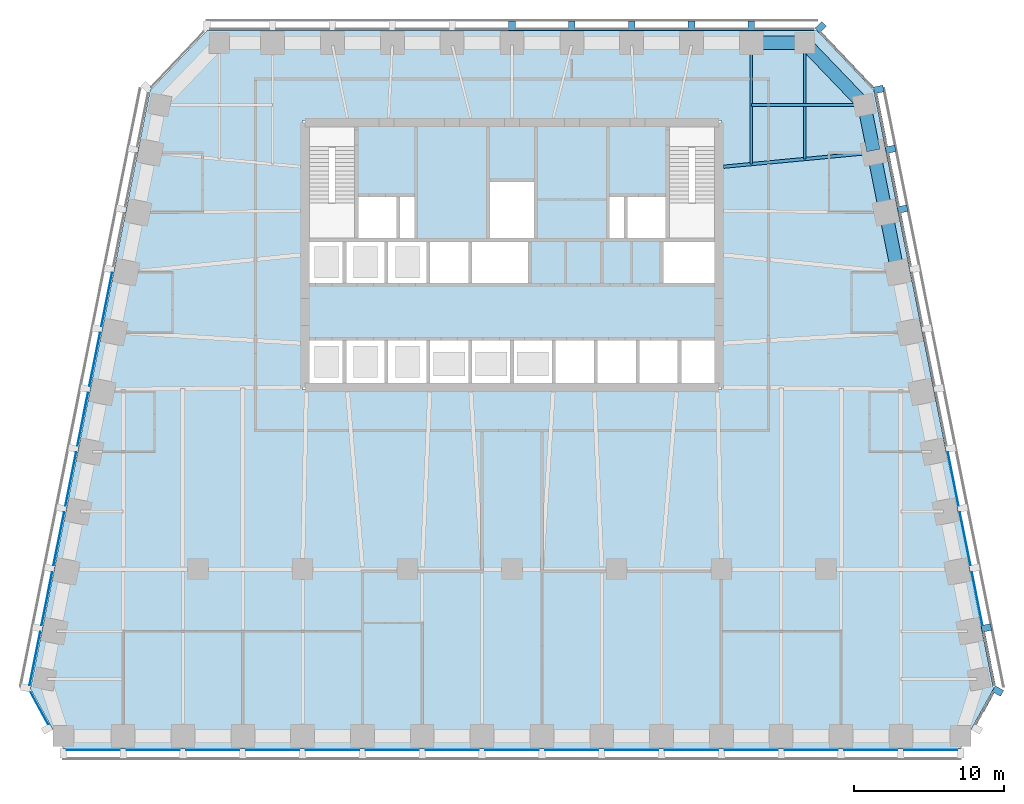
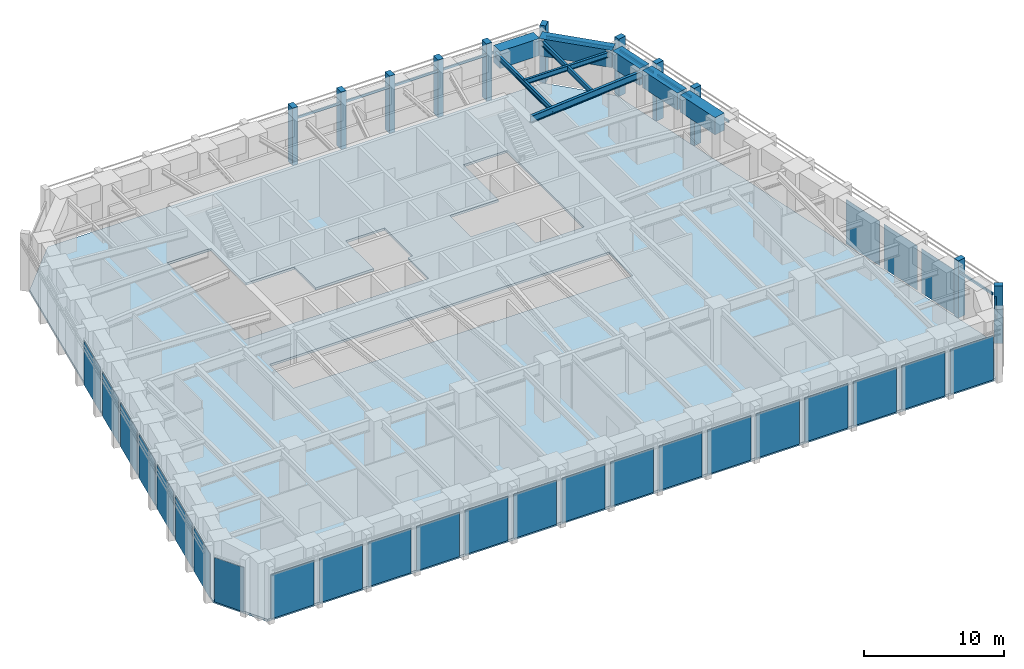
# One storey, part 4 of 11: 26 plates, 22 members, 9 beams, 1 slab, 7 elements without a shape of their own.
"""IFC4 building model written with IfcOpenShell, lengths in metres."""

from ifc_helpers import new_model, si_unit, direction, frame, origin, origin_2d, place, context, subcontext, project, spatial, polyline, rectangle, i_section, outline, extrude, material, layer, layer_set, material_profile, profile_set, type_object, element, aggregate, save


model = new_model("IFC4")

# Units and contexts
model_context = context("Model", 3, precision=1e-05, world=origin(), true_north=direction((0.0, 1.0)))
body_context = subcontext(model_context, "Body", "Model", "MODEL_VIEW")
ifc_project = project(units=[si_unit("LENGTHUNIT", "METRE"), si_unit("AREAUNIT", "SQUARE_METRE"), si_unit("VOLUMEUNIT", "CUBIC_METRE"), si_unit("PLANEANGLEUNIT", "RADIAN"), si_unit("MASSUNIT", "GRAM", prefix="KILO")], contexts=[model_context])

# Site, building, storey
site_placement = place(None, origin())
site = spatial("IfcSite", under=ifc_project, at=site_placement, CompositionType="ELEMENT")
building_placement = place(site_placement, origin())
building = spatial("IfcBuilding", under=site, at=building_placement, Name="Isbrekke Arena Tower", CompositionType="ELEMENT")
storey_placement = place(building_placement, frame((0.0, 0.0, 173.0)))
storey = spatial("IfcBuildingStorey", under=building, at=storey_placement, Name="L39", CompositionType="ELEMENT", Elevation=173.0)

# Beams
ifc_material_1 = material(Name="Steel S355", Category="steel")
ifc_material_profile_1 = material_profile(ifc_material_1, i_section(OverallWidth=0.219970703125, OverallDepth=0.60009765625, WebThickness=0.011962890625, FlangeThickness=0.01904296875, FilletRadius=0.02392578125, at=origin_2d()), Name="IPE 600")
ifc_profile_set_1 = profile_set([ifc_material_profile_1], Name="Steel S355")
beam_type_1 = type_object("IfcBeamType", Name="B1 IPE 600", PredefinedType="BEAM", material=ifc_profile_set_1)
beam_1_placement = place(storey_placement, frame((24.03076171875, 21.837158203125, 4.550048828125), z_axis=(-0.99553133081, -0.094431823952, 0.0), x_axis=(0.094431823952, -0.99553133081, 0.0)))
element("IfcBeam", 1, at=beam_1_placement, inside=storey, type_object=beam_type_1, Name="B1 beam E-E10 L39", PredefinedType="BEAM", context=body_context, shape_type="SweptSolid", body=[
    extrude(i_section(OverallWidth=0.219970703125, OverallDepth=0.60009765625, WebThickness=0.011962890625, FlangeThickness=0.01904296875, FilletRadius=0.02392578125, at=origin_2d()), origin(), (0.0, 0.0, 1.0), 9.92529296875),
])
ifc_material_2 = material(Name="Steel S355", Category="steel")
ifc_material_profile_2 = material_profile(ifc_material_2, i_section(OverallWidth=0.18994140625, OverallDepth=0.449951171875, WebThickness=0.009521484375, FlangeThickness=0.0146484375, FilletRadius=0.02099609375, at=origin_2d()), Name="IPE 450")
ifc_profile_set_2 = profile_set([ifc_material_profile_2], Name="Steel S355")
beam_type_2 = type_object("IfcBeamType", Name="B2 IPE 450", PredefinedType="BEAM", material=ifc_profile_set_2)
beam_2_placement = place(storey_placement, frame((23.40283203125, 25.029296875, 4.625), z_axis=(-1.0, 0.0, 0.0), x_axis=(0.0, -1.0, 0.0)))
element("IfcBeam", 2, at=beam_2_placement, inside=storey, type_object=beam_type_2, Name="B2 beam E-E11 L39", PredefinedType="BEAM", context=body_context, shape_type="SweptSolid", body=[
    extrude(i_section(OverallWidth=0.18994140625, OverallDepth=0.449951171875, WebThickness=0.009521484375, FlangeThickness=0.0146484375, FilletRadius=0.02099609375, at=origin_2d()), origin(), (0.0, 0.0, 1.0), 7.40283203125),
])
ifc_material_3 = material(Name="Steel S355", Category="steel")
ifc_material_profile_3 = material_profile(ifc_material_3, i_section(OverallWidth=0.18994140625, OverallDepth=0.449951171875, WebThickness=0.009521484375, FlangeThickness=0.0146484375, FilletRadius=0.02099609375, at=origin_2d()), Name="IPE 450")
ifc_profile_set_3 = profile_set([ifc_material_profile_3], Name="Steel S355")
beam_type_3 = type_object("IfcBeamType", Name="B3 IPE 450", PredefinedType="BEAM", material=ifc_profile_set_3)
beam_3_placement = place(storey_placement, frame((19.574951171875, 29.02490234375, 4.625), z_axis=(0.0, -1.0, 0.0), x_axis=(1.0, 0.0, 0.0)))
element("IfcBeam", 3, at=beam_3_placement, inside=storey, type_object=beam_type_3, Name="B3 beam N-N01 L39", PredefinedType="BEAM", context=body_context, shape_type="SweptSolid", body=[
    extrude(i_section(OverallWidth=0.18994140625, OverallDepth=0.449951171875, WebThickness=0.009521484375, FlangeThickness=0.0146484375, FilletRadius=0.02099609375, at=origin_2d()), origin(), (0.0, 0.0, 1.0), 7.6103515625),
])
beam_4_placement = place(storey_placement, frame((16.0, 29.02490234375, 4.625), z_axis=(0.0, -1.0, 0.0), x_axis=(1.0, 0.0, 0.0)))
element("IfcBeam", 4, at=beam_4_placement, inside=storey, type_object=beam_type_3, Name="B3 beam N-N02 L39", PredefinedType="BEAM", context=body_context, shape_type="SweptSolid", body=[
    extrude(i_section(OverallWidth=0.18994140625, OverallDepth=0.449951171875, WebThickness=0.009521484375, FlangeThickness=0.0146484375, FilletRadius=0.02099609375, at=origin_2d()), origin(), (0.0, 0.0, 1.0), 7.949462890625),
])

# Curtain wall, member
ifc_material_4 = material(Name="Glazed aluminium curtain wall", Category="aluminium")
curtain_wall_type = type_object("IfcCurtainWallType", Name="CWS SKY LOBBY CURTAIN WALL", PredefinedType="USERDEFINED", material=ifc_material_4)
curtain_wall_1_placement = place(storey_placement, origin())
curtain_wall_1 = element("IfcCurtainWall", 5, at=curtain_wall_1_placement, inside=storey, type_object=curtain_wall_type, Name="CWS curtain wall L39-SE", ObjectType="SKY LOBBY CURTAIN WALL", PredefinedType="USERDEFINED")
ifc_material_5 = material(Name="Aluminium mullion, pale brick slip cladding", Category="masonry")
ifc_material_profile_4 = material_profile(ifc_material_5, rectangle(XDim=0.449951171875, YDim=0.64990234375, at=origin_2d()), Name="PIER 450X650")
ifc_profile_set_4 = profile_set([ifc_material_profile_4], Name="Aluminium mullion, pale brick slip cladding")
member_type_1 = type_object("IfcMemberType", Name="CWS-M PIER MULLION 450 x 650", PredefinedType="MULLION", material=ifc_profile_set_4)
member_1_placement = place(storey_placement, frame((32.48486328125, -14.15673828125, 0.0), z_axis=(0.0, 0.0, 1.0), x_axis=(0.481918749773, 0.876215908676, 0.0)))
member_1 = element("IfcMember", 6, at=member_1_placement, type_object=member_type_1, Name="CWS-M mullion 2", PredefinedType="MULLION", context=body_context, shape_type="SweptSolid", body=[
    extrude(rectangle(XDim=0.449951171875, YDim=0.64990234375, at=origin_2d()), origin(), (0.0, 0.0, 1.0), 5.0),
])

# Curtain wall, members
curtain_wall_2_placement = place(storey_placement, origin())
curtain_wall_2 = element("IfcCurtainWall", 7, at=curtain_wall_2_placement, inside=storey, type_object=curtain_wall_type, Name="CWS curtain wall L39-E", ObjectType="SKY LOBBY CURTAIN WALL", PredefinedType="USERDEFINED")
member_2_placement = place(storey_placement, frame((31.71875, -9.936279296875, 0.0), z_axis=(0.0, 0.0, 1.0), x_axis=(-0.196116135138, 0.980580675691, 0.0)))
member_2 = element("IfcMember", 8, at=member_2_placement, type_object=member_type_1, Name="CWS-M mullion 1", PredefinedType="MULLION", context=body_context, shape_type="SweptSolid", body=[
    extrude(rectangle(XDim=0.449951171875, YDim=0.64990234375, at=origin_2d()), origin(), (0.0, 0.0, 1.0), 5.0),
])
member_3_placement = place(storey_placement, frame((26.11865234375, 18.063720703125, 0.0), z_axis=(0.0, 0.0, 1.0), x_axis=(-0.196116135138, 0.980580675691, 0.0)))
member_3 = element("IfcMember", 9, at=member_3_placement, type_object=member_type_1, Name="CWS-M mullion 8", PredefinedType="MULLION", context=body_context, shape_type="SweptSolid", body=[
    extrude(rectangle(XDim=0.449951171875, YDim=0.64990234375, at=origin_2d()), origin(), (0.0, 0.0, 1.0), 5.0),
])
member_4_placement = place(storey_placement, frame((25.318603515625, 22.063720703125, 0.0), z_axis=(0.0, 0.0, 1.0), x_axis=(-0.196116135138, 0.980580675691, 0.0)))
member_4 = element("IfcMember", 10, at=member_4_placement, type_object=member_type_1, Name="CWS-M mullion 9", PredefinedType="MULLION", context=body_context, shape_type="SweptSolid", body=[
    extrude(rectangle(XDim=0.449951171875, YDim=0.64990234375, at=origin_2d()), origin(), (0.0, 0.0, 1.0), 5.0),
])
member_5_placement = place(storey_placement, frame((24.518798828125, 26.063720703125, 0.0), z_axis=(0.0, 0.0, 1.0), x_axis=(-0.196116135138, 0.980580675691, 0.0)))
member_5 = element("IfcMember", 11, at=member_5_placement, type_object=member_type_1, Name="CWS-M mullion 10", PredefinedType="MULLION", context=body_context, shape_type="SweptSolid", body=[
    extrude(rectangle(XDim=0.449951171875, YDim=0.64990234375, at=origin_2d()), origin(), (0.0, 0.0, 1.0), 5.0),
])

# Curtain wall, member
curtain_wall_3_placement = place(storey_placement, origin())
curtain_wall_3 = element("IfcCurtainWall", 12, at=curtain_wall_3_placement, inside=storey, type_object=curtain_wall_type, Name="CWS curtain wall L39-EN", ObjectType="SKY LOBBY CURTAIN WALL", PredefinedType="USERDEFINED")
member_6_placement = place(storey_placement, frame((20.6357421875, 30.223876953125, 0.0), z_axis=(0.0, 0.0, 1.0), x_axis=(-0.68874946192, 0.72499943359, 0.0)))
member_6 = element("IfcMember", 13, at=member_6_placement, type_object=member_type_1, Name="CWS-M mullion 1", PredefinedType="MULLION", context=body_context, shape_type="SweptSolid", body=[
    extrude(rectangle(XDim=0.449951171875, YDim=0.64990234375, at=origin_2d()), origin(), (0.0, 0.0, 1.0), 5.0),
])

# Curtain wall, members
curtain_wall_4_placement = place(storey_placement, origin())
curtain_wall_4 = element("IfcCurtainWall", 14, at=curtain_wall_4_placement, inside=storey, type_object=curtain_wall_type, Name="CWS curtain wall L39-N", ObjectType="SKY LOBBY CURTAIN WALL", PredefinedType="USERDEFINED")
member_7_placement = place(storey_placement, frame((16.0, 30.324951171875, 0.0), z_axis=(0.0, 0.0, 1.0), x_axis=(-1.0, 0.0, 0.0)))
member_7 = element("IfcMember", 15, at=member_7_placement, type_object=member_type_1, Name="CWS-M mullion 1", PredefinedType="MULLION", context=body_context, shape_type="SweptSolid", body=[
    extrude(rectangle(XDim=0.449951171875, YDim=0.64990234375, at=origin_2d()), origin(), (0.0, 0.0, 1.0), 5.0),
])
member_8_placement = place(storey_placement, frame((12.0, 30.324951171875, 0.0), z_axis=(0.0, 0.0, 1.0), x_axis=(-1.0, 0.0, 0.0)))
member_8 = element("IfcMember", 16, at=member_8_placement, type_object=member_type_1, Name="CWS-M mullion 2", PredefinedType="MULLION", context=body_context, shape_type="SweptSolid", body=[
    extrude(rectangle(XDim=0.449951171875, YDim=0.64990234375, at=origin_2d()), origin(), (0.0, 0.0, 1.0), 5.0),
])
member_9_placement = place(storey_placement, frame((8.0, 30.324951171875, 0.0), z_axis=(0.0, 0.0, 1.0), x_axis=(-1.0, 0.0, 0.0)))
member_9 = element("IfcMember", 17, at=member_9_placement, type_object=member_type_1, Name="CWS-M mullion 3", PredefinedType="MULLION", context=body_context, shape_type="SweptSolid", body=[
    extrude(rectangle(XDim=0.449951171875, YDim=0.64990234375, at=origin_2d()), origin(), (0.0, 0.0, 1.0), 5.0),
])
member_10_placement = place(storey_placement, frame((4.0, 30.324951171875, 0.0), z_axis=(0.0, 0.0, 1.0), x_axis=(-1.0, 0.0, 0.0)))
member_10 = element("IfcMember", 18, at=member_10_placement, type_object=member_type_1, Name="CWS-M mullion 4", PredefinedType="MULLION", context=body_context, shape_type="SweptSolid", body=[
    extrude(rectangle(XDim=0.449951171875, YDim=0.64990234375, at=origin_2d()), origin(), (0.0, 0.0, 1.0), 5.0),
])
member_11_placement = place(storey_placement, frame((0.0, 30.324951171875, 0.0), z_axis=(0.0, 0.0, 1.0), x_axis=(-1.0, 0.0, 0.0)))
member_11 = element("IfcMember", 19, at=member_11_placement, type_object=member_type_1, Name="CWS-M mullion 5", PredefinedType="MULLION", context=body_context, shape_type="SweptSolid", body=[
    extrude(rectangle(XDim=0.449951171875, YDim=0.64990234375, at=origin_2d()), origin(), (0.0, 0.0, 1.0), 5.0),
])

# Member
ifc_material_6 = material(Name="Aluminium transom", Category="aluminium")
ifc_material_profile_5 = material_profile(ifc_material_6, rectangle(XDim=0.1201171875, YDim=0.199951171875, at=origin_2d()), Name="TRANSOM 120X200")
ifc_profile_set_5 = profile_set([ifc_material_profile_5], Name="Aluminium transom")
member_type_2 = type_object("IfcMemberType", Name="CWS-T TRANSOM 120 x 200", PredefinedType="USERDEFINED", material=ifc_profile_set_5)
member_12_placement = place(storey_placement, frame((31.002197265625, -16.38525390625, 4.0), z_axis=(0.481937937062, 0.876205355393, 0.0), x_axis=(-0.876205355393, 0.481937937062, 0.0)))
member_12 = element("IfcMember", 20, at=member_12_placement, type_object=member_type_2, Name="CWS-T transom 1", ObjectType="TRANSOM", PredefinedType="USERDEFINED", context=body_context, shape_type="SweptSolid", body=[
    extrude(rectangle(XDim=0.1201171875, YDim=0.199951171875, at=origin_2d()), origin(), (0.0, 0.0, 1.0), 2.442138671875),
])

aggregate(curtain_wall_1, [member_1, member_12])

member_13_placement = place(storey_placement, frame((32.25390625, -13.759765625, 4.0), z_axis=(-0.196090262229, 0.980585849918, 0.0), x_axis=(-0.980585849918, -0.196090262229, 0.0)))
member_13 = element("IfcMember", 21, at=member_13_placement, type_object=member_type_2, Name="CWS-T transom 1", ObjectType="TRANSOM", PredefinedType="USERDEFINED", context=body_context, shape_type="SweptSolid", body=[
    extrude(rectangle(XDim=0.1201171875, YDim=0.199951171875, at=origin_2d()), origin(), (0.0, 0.0, 1.0), 3.62939453125),
])

member_14_placement = place(storey_placement, frame((26.654052734375, 14.240234375, 4.0), z_axis=(-0.196154943734, 0.980572913173, 0.0), x_axis=(-0.980572913173, -0.196154943734, 0.0)))
member_14 = element("IfcMember", 22, at=member_14_placement, type_object=member_type_2, Name="CWS-T transom 8", ObjectType="TRANSOM", PredefinedType="USERDEFINED", context=body_context, shape_type="SweptSolid", body=[
    extrude(rectangle(XDim=0.1201171875, YDim=0.199951171875, at=origin_2d()), origin(), (0.0, 0.0, 1.0), 3.62939453125),
])

member_15_placement = place(storey_placement, frame((25.85400390625, 18.240234375, 4.0), z_axis=(-0.196154943734, 0.980572913173, 0.0), x_axis=(-0.980572913173, -0.196154943734, 0.0)))
member_15 = element("IfcMember", 23, at=member_15_placement, type_object=member_type_2, Name="CWS-T transom 9", ObjectType="TRANSOM", PredefinedType="USERDEFINED", context=body_context, shape_type="SweptSolid", body=[
    extrude(rectangle(XDim=0.1201171875, YDim=0.199951171875, at=origin_2d()), origin(), (0.0, 0.0, 1.0), 3.62939453125),
])

member_16_placement = place(storey_placement, frame((25.053955078125, 22.240234375, 4.0), z_axis=(-0.196090262229, 0.980585849918, 0.0), x_axis=(-0.980585849918, -0.196090262229, 0.0)))
member_16 = element("IfcMember", 24, at=member_16_placement, type_object=member_type_2, Name="CWS-T transom 10", ObjectType="TRANSOM", PredefinedType="USERDEFINED", context=body_context, shape_type="SweptSolid", body=[
    extrude(rectangle(XDim=0.1201171875, YDim=0.199951171875, at=origin_2d()), origin(), (0.0, 0.0, 1.0), 3.62939453125),
])

member_17_placement = place(storey_placement, frame((24.117431640625, 26.23193359375, 4.0), z_axis=(-0.688734266994, 0.725013868466, 0.0), x_axis=(-0.725013868466, -0.688734266994, 0.0)))
member_17 = element("IfcMember", 25, at=member_17_placement, type_object=member_type_2, Name="CWS-T transom 1", ObjectType="TRANSOM", PredefinedType="USERDEFINED", context=body_context, shape_type="SweptSolid", body=[
    extrude(rectangle(XDim=0.1201171875, YDim=0.199951171875, at=origin_2d()), origin(), (0.0, 0.0, 1.0), 5.067138671875),
])

aggregate(curtain_wall_3, [member_6, member_17])

member_18_placement = place(storey_placement, frame((20.175048828125, 30.10009765625, 4.0), z_axis=(-1.0, 0.0, 0.0), x_axis=(0.0, -1.0, 0.0)))
member_18 = element("IfcMember", 26, at=member_18_placement, type_object=member_type_2, Name="CWS-T transom 1", ObjectType="TRANSOM", PredefinedType="USERDEFINED", context=body_context, shape_type="SweptSolid", body=[
    extrude(rectangle(XDim=0.1201171875, YDim=0.199951171875, at=origin_2d()), origin(), (0.0, 0.0, 1.0), 3.949951171875),
])

member_19_placement = place(storey_placement, frame((15.77490234375, 30.10009765625, 4.0), z_axis=(-1.0, 0.0, 0.0), x_axis=(0.0, -1.0, 0.0)))
member_19 = element("IfcMember", 27, at=member_19_placement, type_object=member_type_2, Name="CWS-T transom 2", ObjectType="TRANSOM", PredefinedType="USERDEFINED", context=body_context, shape_type="SweptSolid", body=[
    extrude(rectangle(XDim=0.1201171875, YDim=0.199951171875, at=origin_2d()), origin(), (0.0, 0.0, 1.0), 3.5498046875),
])

member_20_placement = place(storey_placement, frame((11.77490234375, 30.10009765625, 4.0), z_axis=(-1.0, 0.0, 0.0), x_axis=(0.0, -1.0, 0.0)))
member_20 = element("IfcMember", 28, at=member_20_placement, type_object=member_type_2, Name="CWS-T transom 3", ObjectType="TRANSOM", PredefinedType="USERDEFINED", context=body_context, shape_type="SweptSolid", body=[
    extrude(rectangle(XDim=0.1201171875, YDim=0.199951171875, at=origin_2d()), origin(), (0.0, 0.0, 1.0), 3.5498046875),
])

member_21_placement = place(storey_placement, frame((7.77490234375, 30.10009765625, 4.0), z_axis=(-1.0, 0.0, 0.0), x_axis=(0.0, -1.0, 0.0)))
member_21 = element("IfcMember", 29, at=member_21_placement, type_object=member_type_2, Name="CWS-T transom 4", ObjectType="TRANSOM", PredefinedType="USERDEFINED", context=body_context, shape_type="SweptSolid", body=[
    extrude(rectangle(XDim=0.1201171875, YDim=0.199951171875, at=origin_2d()), origin(), (0.0, 0.0, 1.0), 3.5498046875),
])

member_22_placement = place(storey_placement, frame((3.77490234375, 30.10009765625, 4.0), z_axis=(-1.0, 0.0, 0.0), x_axis=(0.0, -1.0, 0.0)))
member_22 = element("IfcMember", 30, at=member_22_placement, type_object=member_type_2, Name="CWS-T transom 5", ObjectType="TRANSOM", PredefinedType="USERDEFINED", context=body_context, shape_type="SweptSolid", body=[
    extrude(rectangle(XDim=0.1201171875, YDim=0.199951171875, at=origin_2d()), origin(), (0.0, 0.0, 1.0), 3.5498046875),
])

aggregate(curtain_wall_4, [member_7, member_8, member_9, member_10, member_11, member_18, member_19, member_20, member_21, member_22])

# Beams
ifc_material_7 = material(Name="Concrete B65 (C65/80)", Category="concrete")
ifc_material_profile_6 = material_profile(ifc_material_7, rectangle(XDim=0.89990234375, YDim=1.5, at=origin_2d()), Name="RC 900x1500")
ifc_profile_set_6 = profile_set([ifc_material_profile_6], Name="Concrete B65 (C65/80)")
beam_type_4 = type_object("IfcBeamType", Name="SB3 RC 900 x 1500", PredefinedType="SPANDREL", material=ifc_profile_set_6)
for number, where, z_axis, x_axis, name in (
    (31, (25.76171875, 13.9853515625, 4.25), (-0.196128558387, 0.980578190959, 0.0), (-0.980578190959, -0.196128558387, 0.0), "SB3 spandrel E08-E09 L39"),
    (32, (24.961669921875, 17.9853515625, 4.25), (-0.196128558387, 0.980578190959, 0.0), (-0.980578190959, -0.196128558387, 0.0), "SB3 spandrel E09-E10 L39"),
):
    element("IfcBeam", number, at=place(storey_placement, frame(where, z_axis=z_axis, x_axis=x_axis)), inside=storey, type_object=beam_type_4, Name=name, PredefinedType="SPANDREL", context=body_context, shape_type="SweptSolid", body=[
        extrude(rectangle(XDim=0.89990234375, YDim=1.5, at=origin_2d()), origin(), (0.0, 0.0, 1.0), 3.779296875),
    ])
beam_5_placement = place(storey_placement, frame((24.16162109375, 21.9853515625, 4.25), z_axis=(-0.196116135138, 0.980580675691, 0.0), x_axis=(-0.980580675691, -0.196116135138, 0.0)))
element("IfcBeam", 33, at=beam_5_placement, inside=storey, type_object=beam_type_4, Name="SB3 spandrel E10-E11 L39", PredefinedType="SPANDREL", context=body_context, shape_type="SweptSolid", body=[
    extrude(rectangle(XDim=0.89990234375, YDim=1.5, at=origin_2d()), origin(), (0.0, 0.0, 1.0), 2.9541015625),
])
beam_6_placement = place(storey_placement, frame((23.448974609375, 25.137451171875, 4.25), z_axis=(-0.692339547635, 0.721571861134, 0.0), x_axis=(-0.721571861134, -0.692339547635, 0.0)))
element("IfcBeam", 34, at=beam_6_placement, inside=storey, type_object=beam_type_4, Name="SB3 spandrel E11-N01 L39", PredefinedType="SPANDREL", context=body_context, shape_type="SweptSolid", body=[
    extrude(rectangle(XDim=0.89990234375, YDim=1.5, at=origin_2d()), origin(), (0.0, 0.0, 1.0), 5.4453125),
])
beam_7_placement = place(storey_placement, frame((19.425048828125, 29.175048828125, 4.25), z_axis=(-1.0, 0.0, 0.0), x_axis=(0.0, -1.0, 0.0)))
element("IfcBeam", 35, at=beam_7_placement, inside=storey, type_object=beam_type_4, Name="SB3 spandrel N01-N02 L39", PredefinedType="SPANDREL", context=body_context, shape_type="SweptSolid", body=[
    extrude(rectangle(XDim=0.89990234375, YDim=1.5, at=origin_2d()), origin(), (0.0, 0.0, 1.0), 3.275146484375),
])

# Curtain wall, plates
curtain_wall_5_placement = place(storey_placement, origin())
curtain_wall_5 = element("IfcCurtainWall", 36, at=curtain_wall_5_placement, inside=storey, type_object=curtain_wall_type, Name="CWS curtain wall L39-S", ObjectType="SKY LOBBY CURTAIN WALL", PredefinedType="USERDEFINED")
ifc_material_8 = material(Name="Triple-glazed clear glass unit", Category="glass")
ifc_layer_1 = layer(ifc_material_8, 0.031982421875)
ifc_layer_set_1 = layer_set([ifc_layer_1], Name="CWS-P VISION PANEL")
plate_type = type_object("IfcPlateType", Name="CWS-P VISION PANEL", PredefinedType="CURTAIN_PANEL", material=ifc_layer_set_1)
plate_1_placement = place(storey_placement, frame((-28.0, -18.10009765625, 0.02001953125), z_axis=(0.0, 0.0, 1.0), x_axis=(1.0, 0.0, 0.0)))
plate_1 = element("IfcPlate", 37, at=plate_1_placement, type_object=plate_type, Name="CWS-P panel 1", PredefinedType="CURTAIN_PANEL", context=body_context, shape_type="SweptSolid", body=[
    extrude(rectangle(XDim=3.550048828125, YDim=0.031982421875, at=origin_2d()), origin(), (0.0, 0.0, 1.0), 3.8798828125),
])
plate_2_placement = place(storey_placement, frame((-24.0, -18.10009765625, 0.02001953125), z_axis=(0.0, 0.0, 1.0), x_axis=(1.0, 0.0, 0.0)))
plate_2 = element("IfcPlate", 38, at=plate_2_placement, type_object=plate_type, Name="CWS-P panel 2", PredefinedType="CURTAIN_PANEL", context=body_context, shape_type="SweptSolid", body=[
    extrude(rectangle(XDim=3.550048828125, YDim=0.031982421875, at=origin_2d()), origin(), (0.0, 0.0, 1.0), 3.8798828125),
])
plate_3_placement = place(storey_placement, frame((-20.0, -18.10009765625, 0.02001953125), z_axis=(0.0, 0.0, 1.0), x_axis=(1.0, 0.0, 0.0)))
plate_3 = element("IfcPlate", 39, at=plate_3_placement, type_object=plate_type, Name="CWS-P panel 3", PredefinedType="CURTAIN_PANEL", context=body_context, shape_type="SweptSolid", body=[
    extrude(rectangle(XDim=3.550048828125, YDim=0.031982421875, at=origin_2d()), origin(), (0.0, 0.0, 1.0), 3.8798828125),
])
plate_4_placement = place(storey_placement, frame((-16.0, -18.10009765625, 0.02001953125), z_axis=(0.0, 0.0, 1.0), x_axis=(1.0, 0.0, 0.0)))
plate_4 = element("IfcPlate", 40, at=plate_4_placement, type_object=plate_type, Name="CWS-P panel 4", PredefinedType="CURTAIN_PANEL", context=body_context, shape_type="SweptSolid", body=[
    extrude(rectangle(XDim=3.550048828125, YDim=0.031982421875, at=origin_2d()), origin(), (0.0, 0.0, 1.0), 3.8798828125),
])
plate_5_placement = place(storey_placement, frame((-12.0, -18.10009765625, 0.02001953125), z_axis=(0.0, 0.0, 1.0), x_axis=(1.0, 0.0, 0.0)))
plate_5 = element("IfcPlate", 41, at=plate_5_placement, type_object=plate_type, Name="CWS-P panel 5", PredefinedType="CURTAIN_PANEL", context=body_context, shape_type="SweptSolid", body=[
    extrude(rectangle(XDim=3.550048828125, YDim=0.031982421875, at=origin_2d()), origin(), (0.0, 0.0, 1.0), 3.8798828125),
])
plate_6_placement = place(storey_placement, frame((-8.0, -18.10009765625, 0.02001953125), z_axis=(0.0, 0.0, 1.0), x_axis=(1.0, 0.0, 0.0)))
plate_6 = element("IfcPlate", 42, at=plate_6_placement, type_object=plate_type, Name="CWS-P panel 6", PredefinedType="CURTAIN_PANEL", context=body_context, shape_type="SweptSolid", body=[
    extrude(rectangle(XDim=3.550048828125, YDim=0.031982421875, at=origin_2d()), origin(), (0.0, 0.0, 1.0), 3.8798828125),
])
plate_7_placement = place(storey_placement, frame((-4.0, -18.10009765625, 0.02001953125), z_axis=(0.0, 0.0, 1.0), x_axis=(1.0, 0.0, 0.0)))
plate_7 = element("IfcPlate", 43, at=plate_7_placement, type_object=plate_type, Name="CWS-P panel 7", PredefinedType="CURTAIN_PANEL", context=body_context, shape_type="SweptSolid", body=[
    extrude(rectangle(XDim=3.550048828125, YDim=0.031982421875, at=origin_2d()), origin(), (0.0, 0.0, 1.0), 3.8798828125),
])
plate_8_placement = place(storey_placement, frame((0.0, -18.10009765625, 0.02001953125), z_axis=(0.0, 0.0, 1.0), x_axis=(1.0, 0.0, 0.0)))
plate_8 = element("IfcPlate", 44, at=plate_8_placement, type_object=plate_type, Name="CWS-P panel 8", PredefinedType="CURTAIN_PANEL", context=body_context, shape_type="SweptSolid", body=[
    extrude(rectangle(XDim=3.550048828125, YDim=0.031982421875, at=origin_2d()), origin(), (0.0, 0.0, 1.0), 3.8798828125),
])
plate_9_placement = place(storey_placement, frame((4.0, -18.10009765625, 0.02001953125), z_axis=(0.0, 0.0, 1.0), x_axis=(1.0, 0.0, 0.0)))
plate_9 = element("IfcPlate", 45, at=plate_9_placement, type_object=plate_type, Name="CWS-P panel 9", PredefinedType="CURTAIN_PANEL", context=body_context, shape_type="SweptSolid", body=[
    extrude(rectangle(XDim=3.550048828125, YDim=0.031982421875, at=origin_2d()), origin(), (0.0, 0.0, 1.0), 3.8798828125),
])
plate_10_placement = place(storey_placement, frame((8.0, -18.10009765625, 0.02001953125), z_axis=(0.0, 0.0, 1.0), x_axis=(1.0, 0.0, 0.0)))
plate_10 = element("IfcPlate", 46, at=plate_10_placement, type_object=plate_type, Name="CWS-P panel 10", PredefinedType="CURTAIN_PANEL", context=body_context, shape_type="SweptSolid", body=[
    extrude(rectangle(XDim=3.550048828125, YDim=0.031982421875, at=origin_2d()), origin(), (0.0, 0.0, 1.0), 3.8798828125),
])
plate_11_placement = place(storey_placement, frame((12.0, -18.10009765625, 0.02001953125), z_axis=(0.0, 0.0, 1.0), x_axis=(1.0, 0.0, 0.0)))
plate_11 = element("IfcPlate", 47, at=plate_11_placement, type_object=plate_type, Name="CWS-P panel 11", PredefinedType="CURTAIN_PANEL", context=body_context, shape_type="SweptSolid", body=[
    extrude(rectangle(XDim=3.550048828125, YDim=0.031982421875, at=origin_2d()), origin(), (0.0, 0.0, 1.0), 3.8798828125),
])
plate_12_placement = place(storey_placement, frame((16.0, -18.10009765625, 0.02001953125), z_axis=(0.0, 0.0, 1.0), x_axis=(1.0, 0.0, 0.0)))
plate_12 = element("IfcPlate", 48, at=plate_12_placement, type_object=plate_type, Name="CWS-P panel 12", PredefinedType="CURTAIN_PANEL", context=body_context, shape_type="SweptSolid", body=[
    extrude(rectangle(XDim=3.550048828125, YDim=0.031982421875, at=origin_2d()), origin(), (0.0, 0.0, 1.0), 3.8798828125),
])
plate_13_placement = place(storey_placement, frame((20.0, -18.10009765625, 0.02001953125), z_axis=(0.0, 0.0, 1.0), x_axis=(1.0, 0.0, 0.0)))
plate_13 = element("IfcPlate", 49, at=plate_13_placement, type_object=plate_type, Name="CWS-P panel 13", PredefinedType="CURTAIN_PANEL", context=body_context, shape_type="SweptSolid", body=[
    extrude(rectangle(XDim=3.550048828125, YDim=0.031982421875, at=origin_2d()), origin(), (0.0, 0.0, 1.0), 3.8798828125),
])
plate_14_placement = place(storey_placement, frame((24.0, -18.10009765625, 0.02001953125), z_axis=(0.0, 0.0, 1.0), x_axis=(1.0, 0.0, 0.0)))
plate_14 = element("IfcPlate", 50, at=plate_14_placement, type_object=plate_type, Name="CWS-P panel 14", PredefinedType="CURTAIN_PANEL", context=body_context, shape_type="SweptSolid", body=[
    extrude(rectangle(XDim=3.550048828125, YDim=0.031982421875, at=origin_2d()), origin(), (0.0, 0.0, 1.0), 3.8798828125),
])
plate_15_placement = place(storey_placement, frame((28.0, -18.10009765625, 0.02001953125), z_axis=(0.0, 0.0, 1.0), x_axis=(1.0, 0.0, 0.0)))
plate_15 = element("IfcPlate", 51, at=plate_15_placement, type_object=plate_type, Name="CWS-P panel 15", PredefinedType="CURTAIN_PANEL", context=body_context, shape_type="SweptSolid", body=[
    extrude(rectangle(XDim=3.550048828125, YDim=0.031982421875, at=origin_2d()), origin(), (0.0, 0.0, 1.0), 3.8798828125),
])
aggregate(curtain_wall_5, [plate_1, plate_2, plate_3, plate_4, plate_5, plate_6, plate_7, plate_8, plate_9, plate_10, plate_11, plate_12, plate_13, plate_14, plate_15])

# Plate
plate_16_placement = place(storey_placement, frame((31.09814453125, -7.98046875, 0.02001953125), z_axis=(0.0, 0.0, 1.0), x_axis=(-0.196116135138, 0.980580675691, 0.0)))
plate_16 = element("IfcPlate", 52, at=plate_16_placement, type_object=plate_type, Name="CWS-P panel 2", PredefinedType="CURTAIN_PANEL", context=body_context, shape_type="SweptSolid", body=[
    extrude(rectangle(XDim=3.629150390625, YDim=0.031982421875, at=origin_2d()), origin(), (0.0, 0.0, 1.0), 3.8798828125),
])

plate_17_placement = place(storey_placement, frame((30.298095703125, -3.98046875, 0.02001953125), z_axis=(0.0, 0.0, 1.0), x_axis=(-0.196116135138, 0.980580675691, 0.0)))
plate_17 = element("IfcPlate", 53, at=plate_17_placement, type_object=plate_type, Name="CWS-P panel 3", PredefinedType="CURTAIN_PANEL", context=body_context, shape_type="SweptSolid", body=[
    extrude(rectangle(XDim=3.629150390625, YDim=0.031982421875, at=origin_2d()), origin(), (0.0, 0.0, 1.0), 3.8798828125),
])

plate_18_placement = place(storey_placement, frame((29.498046875, 0.01953125, 0.02001953125), z_axis=(0.0, 0.0, 1.0), x_axis=(-0.196116135138, 0.980580675691, 0.0)))
plate_18 = element("IfcPlate", 54, at=plate_18_placement, type_object=plate_type, Name="CWS-P panel 4", PredefinedType="CURTAIN_PANEL", context=body_context, shape_type="SweptSolid", body=[
    extrude(rectangle(XDim=3.629150390625, YDim=0.031982421875, at=origin_2d()), origin(), (0.0, 0.0, 1.0), 3.8798828125),
])

aggregate(curtain_wall_2, [member_2, member_3, member_4, member_5, member_13, plate_16, plate_17, plate_18, member_14, member_15, member_16])

# Curtain wall, plates
curtain_wall_6_placement = place(storey_placement, origin())
curtain_wall_6 = element("IfcCurtainWall", 55, at=curtain_wall_6_placement, inside=storey, type_object=curtain_wall_type, Name="CWS curtain wall L39-W", ObjectType="SKY LOBBY CURTAIN WALL", PredefinedType="USERDEFINED")
plate_19_placement = place(storey_placement, frame((-27.09814453125, 12.01953125, 0.02001953125), z_axis=(0.0, 0.0, 1.0), x_axis=(-0.196116135138, -0.980580675691, 0.0)))
plate_19 = element("IfcPlate", 56, at=plate_19_placement, type_object=plate_type, Name="CWS-P panel 4", PredefinedType="CURTAIN_PANEL", context=body_context, shape_type="SweptSolid", body=[
    extrude(rectangle(XDim=3.629150390625, YDim=0.031982421875, at=origin_2d()), origin(), (0.0, 0.0, 1.0), 3.8798828125),
])
plate_20_placement = place(storey_placement, frame((-27.89794921875, 8.01953125, 0.02001953125), z_axis=(0.0, 0.0, 1.0), x_axis=(-0.196116135138, -0.980580675691, 0.0)))
plate_20 = element("IfcPlate", 57, at=plate_20_placement, type_object=plate_type, Name="CWS-P panel 5", PredefinedType="CURTAIN_PANEL", context=body_context, shape_type="SweptSolid", body=[
    extrude(rectangle(XDim=3.629150390625, YDim=0.031982421875, at=origin_2d()), origin(), (0.0, 0.0, 1.0), 3.8798828125),
])
plate_21_placement = place(storey_placement, frame((-28.697998046875, 4.01953125, 0.02001953125), z_axis=(0.0, 0.0, 1.0), x_axis=(-0.196116135138, -0.980580675691, 0.0)))
plate_21 = element("IfcPlate", 58, at=plate_21_placement, type_object=plate_type, Name="CWS-P panel 6", PredefinedType="CURTAIN_PANEL", context=body_context, shape_type="SweptSolid", body=[
    extrude(rectangle(XDim=3.629150390625, YDim=0.031982421875, at=origin_2d()), origin(), (0.0, 0.0, 1.0), 3.8798828125),
])
plate_22_placement = place(storey_placement, frame((-29.498046875, 0.01953125, 0.02001953125), z_axis=(0.0, 0.0, 1.0), x_axis=(-0.196116135138, -0.980580675691, 0.0)))
plate_22 = element("IfcPlate", 59, at=plate_22_placement, type_object=plate_type, Name="CWS-P panel 7", PredefinedType="CURTAIN_PANEL", context=body_context, shape_type="SweptSolid", body=[
    extrude(rectangle(XDim=3.629150390625, YDim=0.031982421875, at=origin_2d()), origin(), (0.0, 0.0, 1.0), 3.8798828125),
])
plate_23_placement = place(storey_placement, frame((-30.298095703125, -3.98046875, 0.02001953125), z_axis=(0.0, 0.0, 1.0), x_axis=(-0.196116135138, -0.980580675691, 0.0)))
plate_23 = element("IfcPlate", 60, at=plate_23_placement, type_object=plate_type, Name="CWS-P panel 8", PredefinedType="CURTAIN_PANEL", context=body_context, shape_type="SweptSolid", body=[
    extrude(rectangle(XDim=3.629150390625, YDim=0.031982421875, at=origin_2d()), origin(), (0.0, 0.0, 1.0), 3.8798828125),
])
plate_24_placement = place(storey_placement, frame((-31.09814453125, -7.98046875, 0.02001953125), z_axis=(0.0, 0.0, 1.0), x_axis=(-0.196116135138, -0.980580675691, 0.0)))
plate_24 = element("IfcPlate", 61, at=plate_24_placement, type_object=plate_type, Name="CWS-P panel 9", PredefinedType="CURTAIN_PANEL", context=body_context, shape_type="SweptSolid", body=[
    extrude(rectangle(XDim=3.629150390625, YDim=0.031982421875, at=origin_2d()), origin(), (0.0, 0.0, 1.0), 3.8798828125),
])
plate_25_placement = place(storey_placement, frame((-31.89794921875, -11.98046875, 0.02001953125), z_axis=(0.0, 0.0, 1.0), x_axis=(-0.196116135138, -0.980580675691, 0.0)))
plate_25 = element("IfcPlate", 62, at=plate_25_placement, type_object=plate_type, Name="CWS-P panel 10", PredefinedType="CURTAIN_PANEL", context=body_context, shape_type="SweptSolid", body=[
    extrude(rectangle(XDim=3.629150390625, YDim=0.031982421875, at=origin_2d()), origin(), (0.0, 0.0, 1.0), 3.8798828125),
])
aggregate(curtain_wall_6, [plate_19, plate_20, plate_21, plate_22, plate_23, plate_24, plate_25])

# Curtain wall, plate
curtain_wall_7_placement = place(storey_placement, origin())
curtain_wall_7 = element("IfcCurtainWall", 63, at=curtain_wall_7_placement, inside=storey, type_object=curtain_wall_type, Name="CWS curtain wall L39-WS", ObjectType="SKY LOBBY CURTAIN WALL", PredefinedType="USERDEFINED")
plate_26_placement = place(storey_placement, frame((-31.59033203125, -15.31591796875, 0.02001953125), z_axis=(0.0, 0.0, 1.0), x_axis=(0.481918749773, -0.876215908676, 0.0)))
plate_26 = element("IfcPlate", 64, at=plate_26_placement, type_object=plate_type, Name="CWS-P panel 1", PredefinedType="CURTAIN_PANEL", context=body_context, shape_type="SweptSolid", body=[
    extrude(rectangle(XDim=2.443603515625, YDim=0.031982421875, at=origin_2d()), origin(), (0.0, 0.0, 1.0), 3.8798828125),
])
aggregate(curtain_wall_7, [plate_26])

# Slab
ifc_material_9 = material(Name="Concrete B35 (C35/45)", Category="concrete")
ifc_layer_2 = layer(ifc_material_9, 0.199951171875)
ifc_layer_set_2 = layer_set([ifc_layer_2], Name="FS3 SKY LOBBY FLOOR 200")
slab_type = type_object("IfcSlabType", Name="FS3 SKY LOBBY FLOOR 200", PredefinedType="FLOOR", material=ifc_layer_set_2)
slab_placement = place(storey_placement, frame((0.0, 0.0, -0.199951171875)))
element("IfcSlab", 65, at=slab_placement, inside=storey, type_object=slab_type, Name="FS3 floor slab L39", PredefinedType="FLOOR", context=body_context, shape_type="SweptSolid", body=[
    extrude(outline(polyline([(-30.0, -18.0), (30.0, -18.0), (32.199951171875, -14.0), (24.199951171875, 26.0), (20.39990234375, 30.0), (-20.39990234375, 30.0), (-24.199951171875, 26.0), (-32.199951171875, -14.0), (-30.0, -18.0)]), holes=[polyline([(14.0, 9.39990234375), (14.0, 6.0), (-14.0, 6.0), (-14.0, 9.39990234375), (14.0, 9.39990234375)]), polyline([(-6.39990234375, 19.0), (-6.39990234375, 16.0), (-1.60009765625, 16.0), (-1.60009765625, 20.0), (1.60009765625, 20.0), (1.60009765625, 16.0), (1.199951171875, 16.0), (1.199951171875, 13.0), (-14.0, 13.0), (-14.0, 24.0), (-10.39990234375, 24.0), (-10.39990234375, 19.0), (-6.39990234375, 19.0)]), polyline([(10.0, 13.0), (10.0, 16.0), (6.39990234375, 16.0), (6.39990234375, 19.0), (10.39990234375, 19.0), (10.39990234375, 24.0), (14.0, 24.0), (14.0, 13.0), (10.0, 13.0)])]), origin(), (0.0, 0.0, 1.0), 0.199951171875),
])

save(model, "model.ifc")
